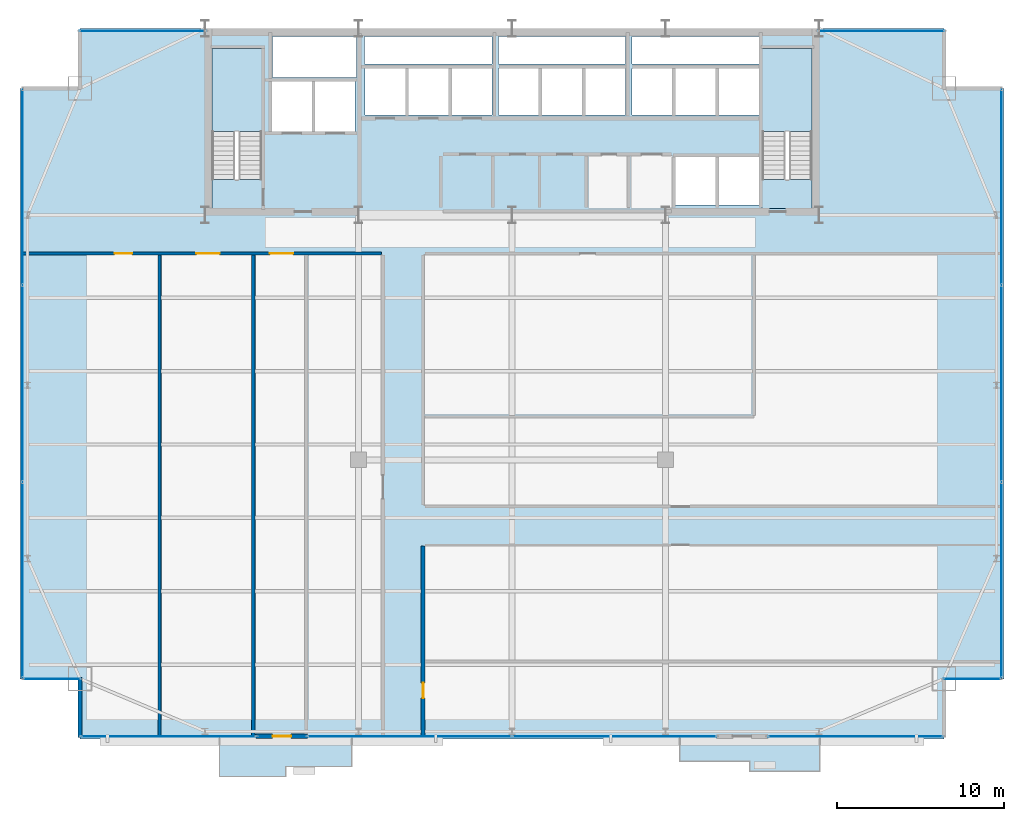
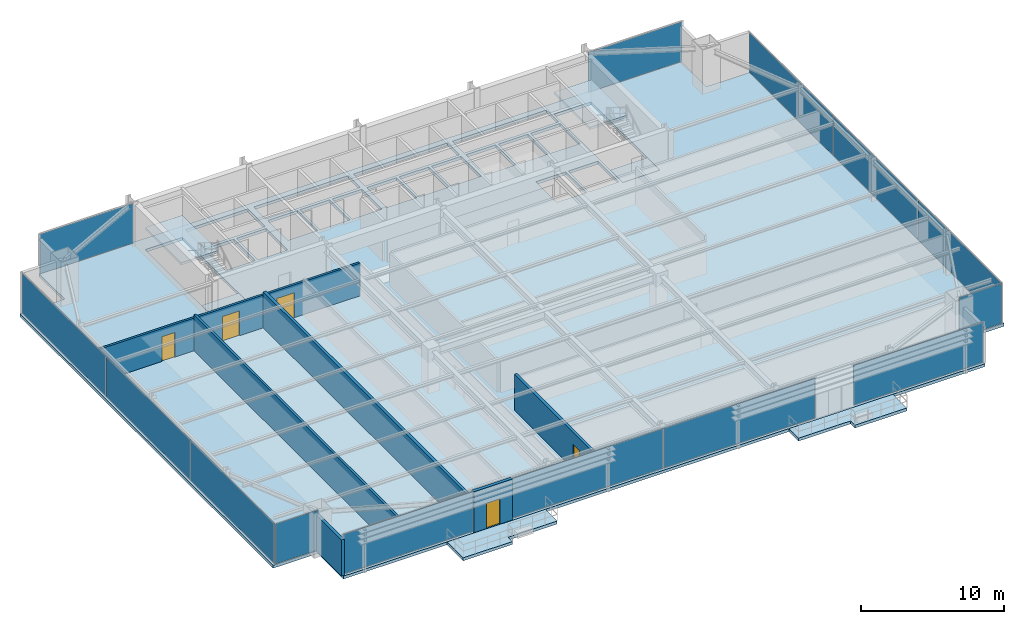
# One storey, part 27 of 31: 14 plates, 7 slabs, 6 walls, 5 doors, 5 openings, 11 elements without a shape of their own.
"""IFC4 building model written with IfcOpenShell, lengths in metres."""

import ifcopenshell
import ifcopenshell.guid

model = None  # the IFC model being written
_history = None  # IfcOwnerHistory: only IFC2X3 demands one
_inside = {}  # id of a spatial element -> (the spatial element, [elements in it])
_under = {}  # id of a project, library or spatial element -> (it, [spatial elements below it])
_declared = {}  # id of a project -> (the project, [libraries it declares])
_typed = {}  # id of a type object -> (the type object, [elements of that type])
_made_of = {}  # id of a material, layer set ... -> (it, [elements and type objects made of it])


def new_model(schema):
    """Start an empty IFC model of exactly this schema.

    Asked for "IFC4X3", IfcOpenShell would pick the latest addendum, in which some entities
    have other attributes; the version numbers below select the first issue.
    IFC2X3 requires an IfcOwnerHistory on every rooted entity: one is made here for all.
    """
    global model, _history
    if schema == "IFC4X3":
        model = ifcopenshell.file(schema_version=(4, 3, 0, 0))
    else:
        model = ifcopenshell.file(schema=schema)
    _inside.clear()
    _under.clear()
    _declared.clear()
    _typed.clear()
    _made_of.clear()
    _history = None
    if model.schema == "IFC2X3":
        org = make("IfcOrganization", Name="unknown")
        user = make(
            "IfcPersonAndOrganization",
            ThePerson=make("IfcPerson", FamilyName="unknown"),
            TheOrganization=org,
        )
        app = make(
            "IfcApplication",
            ApplicationDeveloper=org,
            Version="unknown",
            ApplicationFullName="unknown",
            ApplicationIdentifier="unknown",
        )
        _history = make(
            "IfcOwnerHistory",
            OwningUser=user,
            OwningApplication=app,
            ChangeAction="ADDED",
            CreationDate=0,
        )
    return model


def make(cls, **values):
    """One entity of the class cls with the attributes given. An attribute that is None is left unset."""
    return model.create_entity(
        cls, **{name: value for name, value in values.items() if value is not None}
    )


def rooted(cls, **values):
    """An entity with a GlobalId (a new one), such as an element, a storey or a relation."""
    return make(cls, GlobalId=ifcopenshell.guid.new(), OwnerHistory=_history, **values)


def si_unit(unit_type, name, prefix=None):
    """IfcSIUnit, for example si_unit("LENGTHUNIT", "METRE", prefix="MILLI")."""
    return make("IfcSIUnit", UnitType=unit_type, Prefix=prefix, Name=name)


def assignment(units):
    """IfcUnitAssignment: the units of a project."""
    return None if units is None else make("IfcUnitAssignment", Units=units)


def point(xyz):
    """IfcCartesianPoint."""
    return None if xyz is None else make("IfcCartesianPoint", Coordinates=xyz)


def direction(xyz):
    """IfcDirection."""
    return None if xyz is None else make("IfcDirection", DirectionRatios=xyz)


def frame(location, z_axis=None, x_axis=None):
    """IfcAxis2Placement3D, a coordinate frame: its origin and axes. An axis left out is left unset."""
    return make(
        "IfcAxis2Placement3D",
        Location=point(location),
        Axis=direction(z_axis),
        RefDirection=direction(x_axis),
    )


def frame_2d(location, x_axis=None):
    """IfcAxis2Placement2D, a coordinate frame in the plane: its origin and x axis."""
    return make(
        "IfcAxis2Placement2D", Location=point(location), RefDirection=direction(x_axis)
    )


def origin():
    """The frame at (0, 0, 0) with its axes left unset."""
    return frame((0.0, 0.0, 0.0))


def origin_2d():
    """The frame at (0, 0) in the plane with its x axis left unset."""
    return frame_2d((0.0, 0.0))


def place(relative_to, where):
    """IfcLocalPlacement: puts the frame where relative to a parent placement (None: the world)."""
    return make(
        "IfcLocalPlacement", PlacementRelTo=relative_to, RelativePlacement=where
    )


def context(
    kind, dimensions, precision=None, world=None, true_north=None, identifier=None
):
    """IfcGeometricRepresentationContext, for example the 3D "Model" context."""
    return make(
        "IfcGeometricRepresentationContext",
        ContextIdentifier=identifier,
        ContextType=kind,
        CoordinateSpaceDimension=dimensions,
        Precision=precision,
        WorldCoordinateSystem=world,
        TrueNorth=true_north,
    )


def subcontext(parent, identifier, kind, view, scale=None):
    """IfcGeometricRepresentationSubContext, for example "Body" below "Model"."""
    return make(
        "IfcGeometricRepresentationSubContext",
        ContextIdentifier=identifier,
        ContextType=kind,
        ParentContext=parent,
        TargetScale=scale,
        TargetView=view,
    )


def project(units=None, contexts=None):
    """IfcProject with its units and contexts."""
    return rooted(
        "IfcProject",
        Name="project",
        RepresentationContexts=contexts,
        UnitsInContext=assignment(units),
    )


def spatial(cls, under=None, at=None, **own):
    """A site, building, storey or space (cls), placed at a placement, below another one or the project."""
    s = rooted(cls, ObjectPlacement=at, **own)
    if under is not None:
        _under.setdefault(under.id(), (under, []))[1].append(s)
    return s


def polyline(points):
    """IfcPolyline through the points."""
    return make("IfcPolyline", Points=[point(p) for p in points])


def profile(cls, at=None, kind="AREA", **sizes):
    """A parametric profile (cls). Its sizes go by their IFC names, for example OverallWidth=200.0."""
    return make(cls, ProfileType=kind, Position=at, **sizes)


def rectangle(**sizes):
    """IfcRectangleProfileDef."""
    return profile("IfcRectangleProfileDef", **sizes)


def outline(outer, holes=None, kind="AREA"):
    """IfcArbitraryClosedProfileDef: a profile drawn as a closed curve; with holes, ...WithVoids."""
    if holes is None:
        return make("IfcArbitraryClosedProfileDef", ProfileType=kind, OuterCurve=outer)
    return make(
        "IfcArbitraryProfileDefWithVoids",
        ProfileType=kind,
        OuterCurve=outer,
        InnerCurves=holes,
    )


def extrude(swept, where, along, depth):
    """IfcExtrudedAreaSolid: the profile swept, set in the frame where, extruded along a direction by depth."""
    return make(
        "IfcExtrudedAreaSolid",
        SweptArea=swept,
        Position=where,
        ExtrudedDirection=direction(along),
        Depth=depth,
    )


def shape(context_of_items, identifier, shape_type, items):
    """IfcShapeRepresentation: the items that make up one representation, for example the "Body"."""
    return make(
        "IfcShapeRepresentation",
        ContextOfItems=context_of_items,
        RepresentationIdentifier=identifier,
        RepresentationType=shape_type,
        Items=items,
    )


def source(mapping_origin, context_of_items, identifier, shape_type, items):
    """IfcRepresentationMap: a shape defined once, which mapped items show again and again."""
    return make(
        "IfcRepresentationMap",
        MappingOrigin=mapping_origin,
        MappedRepresentation=shape(context_of_items, identifier, shape_type, items),
    )


def transform(
    local_origin,
    x_axis=None,
    y_axis=None,
    z_axis=None,
    scale=None,
    scale2=None,
    scale3=None,
    uniform=True,
):
    """IfcCartesianTransformationOperator3D, or its non-uniform kind. x_axis, y_axis, z_axis: its Axis1, 2, 3."""
    if uniform:
        return make(
            "IfcCartesianTransformationOperator3D",
            Axis1=direction(x_axis),
            Axis2=direction(y_axis),
            LocalOrigin=point(local_origin),
            Scale=scale,
            Axis3=direction(z_axis),
        )
    return make(
        "IfcCartesianTransformationOperator3DnonUniform",
        Axis1=direction(x_axis),
        Axis2=direction(y_axis),
        LocalOrigin=point(local_origin),
        Scale=scale,
        Axis3=direction(z_axis),
        Scale2=scale2,
        Scale3=scale3,
    )


def mapped(mapping_source, mapping_target):
    """IfcMappedItem: shows the shape of a source again, moved by a transform."""
    return make(
        "IfcMappedItem", MappingSource=mapping_source, MappingTarget=mapping_target
    )


def material(Name=None, Category=None):
    """IfcMaterial."""
    return make("IfcMaterial", Name=Name, Category=Category)


def layer(
    of_material, thickness, ventilated=None, Name=None, Category=None, Priority=None
):
    """IfcMaterialLayer: one layer of a wall or slab, of a material (None: an air gap)."""
    return make(
        "IfcMaterialLayer",
        Material=of_material,
        LayerThickness=thickness,
        IsVentilated=ventilated,
        Name=Name,
        Category=Category,
        Priority=Priority,
    )


def layer_set(layers, Name=None):
    """IfcMaterialLayerSet."""
    return make("IfcMaterialLayerSet", MaterialLayers=layers, LayerSetName=Name)


def made_of(thing, what):
    """Note that an element or type object is made of a material, layer set ...; save() writes the relation."""
    if what is not None:
        _made_of.setdefault(what.id(), (what, []))[1].append(thing)
    return thing


def type_object(cls, material=None, **own):
    """A type object (cls), such as IfcWallType, which elements share."""
    return made_of(rooted(cls, **own), material)


def type_shapes(of_type, sources):
    """Give a type object the sources (RepresentationMaps) that its elements show as mapped items."""
    of_type.RepresentationMaps = sources


def element(
    cls,
    number,
    at=None,
    inside=None,
    cuts=None,
    type_object=None,
    material=None,
    context=None,
    identifier="Body",
    shape_type=None,
    held_by="IfcProductDefinitionShape",
    body=None,
    shapes=None,
    **own,
):
    """One element of the class cls, such as IfcWall. Its Tag is "e" and its number.

    at: its placement. inside: the storey or other place that contains it. cuts: it is an
    opening in that element (IfcRelVoidsElement). A single representation is given by context,
    identifier, shape_type and body (its items); several are given by shapes. held_by: the class
    of the entity that holds the representations. save() writes the other relations.
    """
    e = rooted(cls, Tag="e%d" % number, ObjectPlacement=at, **own)
    if body is not None:
        shapes = [shape(context, identifier, shape_type, body)]
    if shapes is not None:
        e.Representation = make(held_by, Representations=shapes)
    if inside is not None:
        _inside.setdefault(inside.id(), (inside, []))[1].append(e)
    if cuts is not None:
        rooted(
            "IfcRelVoidsElement", RelatingBuildingElement=cuts, RelatedOpeningElement=e
        )
    if type_object is not None:
        _typed.setdefault(type_object.id(), (type_object, []))[1].append(e)
    return made_of(e, material)


def fill(opening, filler):
    """IfcRelFillsElement: the door or window that sits in an opening."""
    return rooted(
        "IfcRelFillsElement",
        RelatingOpeningElement=opening,
        RelatedBuildingElement=filler,
    )


def aggregate(whole, parts):
    """IfcRelAggregates: a whole, such as a stair, and the parts it consists of."""
    return rooted("IfcRelAggregates", RelatingObject=whole, RelatedObjects=parts)


def save(model, path):
    """Write the relations noted so far, then the file.

    IfcRelAggregates (storeys below a building ...), IfcRelContainedInSpatialStructure (elements
    in a storey), IfcRelDefinesByType, IfcRelAssociatesMaterial and IfcRelDeclares: one each for
    every whole, place, type object, material and project.
    """
    for whole, parts in _under.values():
        aggregate(whole, parts)
    for where, things in _inside.values():
        rooted(
            "IfcRelContainedInSpatialStructure",
            RelatedElements=things,
            RelatingStructure=where,
        )
    for kind, things in _typed.values():
        rooted("IfcRelDefinesByType", RelatedObjects=things, RelatingType=kind)
    for what, things in _made_of.values():
        rooted("IfcRelAssociatesMaterial", RelatedObjects=things, RelatingMaterial=what)
    for by, libraries in _declared.values():
        rooted("IfcRelDeclares", RelatingContext=by, RelatedDefinitions=libraries)
    model.write(path)


model = new_model("IFC4")

# Units and contexts
model_context = context("Model", 3, precision=1e-05, world=origin(), true_north=direction((0.0, 1.0)))
body_context = subcontext(model_context, "Body", "Model", "MODEL_VIEW")
ifc_project = project(units=[si_unit("LENGTHUNIT", "METRE"), si_unit("AREAUNIT", "SQUARE_METRE"), si_unit("VOLUMEUNIT", "CUBIC_METRE"), si_unit("PLANEANGLEUNIT", "RADIAN"), si_unit("MASSUNIT", "GRAM", prefix="KILO")], contexts=[model_context])

# Site, building, storey
site_placement = place(None, origin())
site = spatial("IfcSite", under=ifc_project, at=site_placement, CompositionType="ELEMENT")
building_placement = place(site_placement, origin())
building = spatial("IfcBuilding", under=site, at=building_placement, Name="Varnel Quay Broadcast Tower", CompositionType="ELEMENT")
storey_placement = place(building_placement, frame((0.0, 0.0, 94.60009765625)))
storey = spatial("IfcBuildingStorey", under=building, at=storey_placement, Name="L22", CompositionType="ELEMENT", Elevation=94.60009765625)

# Slabs
ifc_material_1 = material(Name="Concrete CSA A23.3 C40/50", Category="concrete")
ifc_layer_1 = layer(ifc_material_1, 0.25, Name="Concrete CSA A23.3 C40/50")
ifc_layer_set_1 = layer_set([ifc_layer_1], Name="Concrete CSA A23.3 C40/50")
slab_type_1 = type_object("IfcSlabType", Name="Slab_ExtTerrace250", PredefinedType="FLOOR", material=ifc_layer_set_1)
slab_1_placement = place(storey_placement, frame((0.0, 0.0, -0.25)))
element("IfcSlab", 1, at=slab_1_placement, inside=storey, type_object=slab_type_1, Name="L22 Planted Lobe Terrace Slab 1", PredefinedType="FLOOR", context=body_context, shape_type="SweptSolid", body=[
    extrude(outline(polyline([(16.4599609375, 1.946044921875), (20.429931640625, 1.946044921875), (20.429931640625, 2.5458984375), (24.39990234375, 2.5458984375), (24.39990234375, 4.199951171875), (16.4599609375, 4.199951171875), (16.4599609375, 1.946044921875)])), origin(), (0.0, 0.0, 1.0), 0.25),
])
slab_2_placement = place(storey_placement, frame((0.0, 0.0, -0.25)))
element("IfcSlab", 2, at=slab_2_placement, inside=storey, type_object=slab_type_1, Name="L22 Planted Lobe Terrace Slab 2", PredefinedType="FLOOR", context=body_context, shape_type="SweptSolid", body=[
    extrude(outline(polyline([(44.06005859375, 2.85400390625), (48.260009765625, 2.85400390625), (48.260009765625, 2.25390625), (52.4599609375, 2.25390625), (52.4599609375, 4.199951171875), (44.06005859375, 4.199951171875), (44.06005859375, 2.85400390625)])), origin(), (0.0, 0.0, 1.0), 0.25),
])
ifc_material_2 = material(Name="Concrete CSA A23.3 C50/60", Category="concrete")
ifc_layer_2 = layer(ifc_material_2, 0.25, Name="Concrete CSA A23.3 C50/60")
ifc_layer_set_2 = layer_set([ifc_layer_2], Name="Concrete CSA A23.3 C50/60")
slab_type_2 = type_object("IfcSlabType", Name="Slab_Floor250", PredefinedType="FLOOR", material=ifc_layer_set_2)
slab_3_placement = place(storey_placement, frame((0.0, 0.0, -0.25)))
element("IfcSlab", 3, at=slab_3_placement, inside=storey, type_object=slab_type_2, Name="L22 Structural Slab", PredefinedType="FLOOR", context=body_context, shape_type="SweptSolid", body=[
    extrude(outline(polyline([(8.10009765625, 4.199951171875), (59.89990234375, 4.199951171875), (59.89990234375, 7.800048828125), (63.5, 7.800048828125), (63.5, 43.199951171875), (59.89990234375, 43.199951171875), (59.89990234375, 46.800048828125), (8.10009765625, 46.800048828125), (8.10009765625, 43.199951171875), (4.5, 43.199951171875), (4.5, 7.800048828125), (8.10009765625, 7.800048828125), (8.10009765625, 4.199951171875)]), holes=[polyline([(16.0, 36.0), (16.0, 45.60009765625), (19.0, 45.60009765625), (19.0, 36.0), (16.0, 36.0)]), polyline([(19.60009765625, 43.60009765625), (22.0, 43.60009765625), (22.0, 40.60009765625), (19.60009765625, 40.60009765625), (19.60009765625, 43.60009765625)]), polyline([(22.199951171875, 43.60009765625), (24.60009765625, 43.60009765625), (24.60009765625, 40.60009765625), (22.199951171875, 40.60009765625), (22.199951171875, 43.60009765625)]), polyline([(25.199951171875, 44.39990234375), (27.60009765625, 44.39990234375), (27.60009765625, 41.60009765625), (25.199951171875, 41.60009765625), (25.199951171875, 44.39990234375)]), polyline([(27.800048828125, 44.39990234375), (30.199951171875, 44.39990234375), (30.199951171875, 41.60009765625), (27.800048828125, 41.60009765625), (27.800048828125, 44.39990234375)]), polyline([(30.39990234375, 44.39990234375), (32.800048828125, 44.39990234375), (32.800048828125, 41.60009765625), (30.39990234375, 41.60009765625), (30.39990234375, 44.39990234375)]), polyline([(33.199951171875, 44.39990234375), (35.60009765625, 44.39990234375), (35.60009765625, 41.60009765625), (33.199951171875, 41.60009765625), (33.199951171875, 44.39990234375)]), polyline([(38.199951171875, 44.39990234375), (38.199951171875, 41.60009765625), (35.800048828125, 41.60009765625), (35.800048828125, 44.39990234375), (38.199951171875, 44.39990234375)]), polyline([(24.679931640625, 46.300048828125), (24.679931640625, 43.85009765625), (19.64990234375, 43.85009765625), (19.64990234375, 46.300048828125), (24.679931640625, 46.300048828125)]), polyline([(25.14990234375, 46.300048828125), (32.800048828125, 46.300048828125), (32.800048828125, 44.64990234375), (25.14990234375, 44.64990234375), (25.14990234375, 46.300048828125)]), polyline([(43.800048828125, 39.10009765625), (46.199951171875, 39.10009765625), (46.199951171875, 36.199951171875), (43.800048828125, 36.199951171875), (43.800048828125, 39.10009765625)]), polyline([(46.39990234375, 39.10009765625), (48.800048828125, 39.10009765625), (48.800048828125, 36.199951171875), (46.39990234375, 36.199951171875), (46.39990234375, 39.10009765625)]), polyline([(49.0, 45.60009765625), (52.0, 45.60009765625), (52.0, 36.0), (49.0, 36.0), (49.0, 45.60009765625)]), polyline([(40.800048828125, 44.39990234375), (40.800048828125, 41.60009765625), (38.39990234375, 41.60009765625), (38.39990234375, 44.39990234375), (40.800048828125, 44.39990234375)]), polyline([(41.199951171875, 44.39990234375), (43.60009765625, 44.39990234375), (43.60009765625, 41.60009765625), (41.199951171875, 41.60009765625), (41.199951171875, 44.39990234375)]), polyline([(43.800048828125, 44.39990234375), (46.199951171875, 44.39990234375), (46.199951171875, 41.60009765625), (43.800048828125, 41.60009765625), (43.800048828125, 44.39990234375)]), polyline([(46.39990234375, 44.39990234375), (48.800048828125, 44.39990234375), (48.800048828125, 41.60009765625), (46.39990234375, 41.60009765625), (46.39990234375, 44.39990234375)]), polyline([(40.800048828125, 46.300048828125), (40.800048828125, 44.64990234375), (33.199951171875, 44.64990234375), (33.199951171875, 46.300048828125), (40.800048828125, 46.300048828125)]), polyline([(48.800048828125, 46.300048828125), (48.800048828125, 44.64990234375), (41.199951171875, 44.64990234375), (41.199951171875, 46.300048828125), (48.800048828125, 46.300048828125)])]), origin(), (0.0, 0.0, 1.0), 0.25),
])
ifc_layer_3 = layer(ifc_material_2, 0.25, Name="Concrete CSA A23.3 C50/60")
ifc_layer_set_3 = layer_set([ifc_layer_3], Name="Concrete CSA A23.3 C50/60")
slab_type_3 = type_object("IfcSlabType", Name="Slab_StairFloorLanding250", PredefinedType="FLOOR", material=ifc_layer_set_3)
slab_4_placement = place(storey_placement, frame((0.0, 0.0, -0.25)))
element("IfcSlab", 4, at=slab_4_placement, inside=storey, type_object=slab_type_3, Name="L22 ST-01 Structural Floor Landing Slab", PredefinedType="FLOOR", context=body_context, shape_type="SweptSolid", body=[
    extrude(outline(polyline([(19.0, 36.0), (19.0, 37.75), (16.0, 37.75), (16.0, 36.0), (19.0, 36.0)])), origin(), (0.0, 0.0, 1.0), 0.25),
])
slab_5_placement = place(storey_placement, frame((0.0, 0.0, -0.25)))
element("IfcSlab", 5, at=slab_5_placement, inside=storey, type_object=slab_type_3, Name="L22 ST-02 Structural Floor Landing Slab", PredefinedType="FLOOR", context=body_context, shape_type="SweptSolid", body=[
    extrude(outline(polyline([(52.0, 36.0), (52.0, 37.75), (49.0, 37.75), (49.0, 36.0), (52.0, 36.0)])), origin(), (0.0, 0.0, 1.0), 0.25),
])

# Stair, slab
ifc_material_3 = material(Name="Precast Structural Concrete C40/50", Category="concrete")
stair_type_1 = type_object("IfcStairType", Name="Stair_ST-01", PredefinedType="HALF_TURN_STAIR", material=ifc_material_3)
stair_1_placement = place(storey_placement, origin())
stair_1 = element("IfcStair", 6, at=stair_1_placement, inside=storey, type_object=stair_type_1, Name="L22 West Core Exit Stair 1", PredefinedType="HALF_TURN_STAIR")
ifc_layer_4 = layer(ifc_material_3, 0.199951171875, Name="Precast Structural Concrete C40/50")
ifc_layer_set_4 = layer_set([ifc_layer_4], Name="Precast Structural Concrete C40/50")
slab_type_4 = type_object("IfcSlabType", Name="Slab_StairLanding200", PredefinedType="LANDING", material=ifc_layer_set_4)
slab_6_placement = place(storey_placement, frame((0.0, 0.0, 1.699951171875)))
slab_6 = element("IfcSlab", 7, at=slab_6_placement, type_object=slab_type_4, Name="ST-01 landing 1", PredefinedType="LANDING", context=body_context, shape_type="SweptSolid", body=[
    extrude(outline(polyline([(19.0, 40.60009765625), (19.0, 45.60009765625), (16.0, 45.60009765625), (16.0, 40.60009765625), (19.0, 40.60009765625)])), origin(), (0.0, 0.0, 1.0), 0.199951171875),
])
aggregate(stair_1, [slab_6])

stair_type_2 = type_object("IfcStairType", Name="Stair_ST-02", PredefinedType="HALF_TURN_STAIR", material=ifc_material_3)
stair_2_placement = place(storey_placement, origin())
stair_2 = element("IfcStair", 8, at=stair_2_placement, inside=storey, type_object=stair_type_2, Name="L22 East Core Exit Stair 2", PredefinedType="HALF_TURN_STAIR")
slab_7_placement = place(storey_placement, frame((0.0, 0.0, 1.699951171875)))
slab_7 = element("IfcSlab", 9, at=slab_7_placement, type_object=slab_type_4, Name="ST-02 landing 1", PredefinedType="LANDING", context=body_context, shape_type="SweptSolid", body=[
    extrude(outline(polyline([(52.0, 40.60009765625), (52.0, 45.60009765625), (49.0, 45.60009765625), (49.0, 40.60009765625), (52.0, 40.60009765625)])), origin(), (0.0, 0.0, 1.0), 0.199951171875),
])
aggregate(stair_2, [slab_7])

# Curtain wall, plate
ifc_material_4 = material(Name="Anodised Bronze Aluminium 6063-T6", Category="aluminium")
ifc_layer_5 = layer(ifc_material_4, 0.18994140625, Name="Anodised Bronze Aluminium 6063-T6")
ifc_layer_set_5 = layer_set([ifc_layer_5], Name="Anodised Bronze Aluminium 6063-T6")
curtain_wall_type_1 = type_object("IfcCurtainWallType", Name="CW_LowerTower", PredefinedType="NOTDEFINED", material=ifc_layer_set_5)
curtain_wall_1_placement = place(storey_placement, origin())
curtain_wall_1 = element("IfcCurtainWall", 10, at=curtain_wall_1_placement, inside=storey, type_object=curtain_wall_type_1, Name="L22 South Unitised Curtain Wall 1", PredefinedType="NOTDEFINED")
ifc_material_5 = material(Name="Triple-Glazed Bronze Low-E Architectural Glass", Category="glass")
ifc_layer_6 = layer(ifc_material_5, 0.031982421875, Name="Triple-Glazed Bronze Low-E Architectural Glass")
ifc_layer_set_6 = layer_set([ifc_layer_6], Name="Triple-Glazed Bronze Low-E Architectural Glass")
plate_type_1 = type_object("IfcPlateType", Name="Panel_CWS-02", PredefinedType="CURTAIN_PANEL", material=ifc_layer_set_6)
shared_shape_1 = source(origin(), body_context, "Body", "SweptSolid", [
    extrude(rectangle(XDim=10.47998046875, YDim=0.031982421875, at=origin_2d()), origin(), (0.0, 0.0, 1.0), 3.39990234375),
])
plate_1_placement = place(storey_placement, frame((13.409912109375, 4.35009765625, 0.06005859375), z_axis=(0.0, 0.0, 1.0), x_axis=(1.0, 0.0, 0.0)))
plate_1 = element("IfcPlate", 11, at=plate_1_placement, type_object=plate_type_1, Name="CWS-02 panel 1.1", PredefinedType="CURTAIN_PANEL", context=body_context, shape_type="MappedRepresentation", body=[
    mapped(shared_shape_1, transform((0.0, 0.0, 0.0), x_axis=(1.0, 0.0, 0.0), y_axis=(0.0, 1.0, 0.0), z_axis=(0.0, 0.0, 1.0), scale=1.0)),
])
aggregate(curtain_wall_1, [plate_1])

curtain_wall_2_placement = place(storey_placement, origin())
curtain_wall_2 = element("IfcCurtainWall", 12, at=curtain_wall_2_placement, inside=storey, type_object=curtain_wall_type_1, Name="L22 South Unitised Curtain Wall 3", PredefinedType="NOTDEFINED")
plate_2_placement = place(storey_placement, frame((54.590087890625, 4.35009765625, 0.06005859375), z_axis=(0.0, 0.0, 1.0), x_axis=(1.0, 0.0, 0.0)))
plate_2 = element("IfcPlate", 13, at=plate_2_placement, type_object=plate_type_1, Name="CWS-02 panel 1.1", PredefinedType="CURTAIN_PANEL", context=body_context, shape_type="MappedRepresentation", body=[
    mapped(shared_shape_1, transform((0.0, 0.0, 0.0), x_axis=(1.0, 0.0, 0.0), y_axis=(0.0, 1.0, 0.0), z_axis=(0.0, 0.0, 1.0), scale=1.0)),
])
aggregate(curtain_wall_2, [plate_2])

# Curtain wall, plates
curtain_wall_3_placement = place(storey_placement, origin())
curtain_wall_3 = element("IfcCurtainWall", 14, at=curtain_wall_3_placement, inside=storey, type_object=curtain_wall_type_1, Name="L22 South Unitised Curtain Wall 2", PredefinedType="NOTDEFINED")
shared_shape_2 = source(origin(), body_context, "Body", "SweptSolid", [
    extrude(rectangle(XDim=12.215087890625, YDim=0.031982421875, at=origin_2d()), origin(), (0.0, 0.0, 1.0), 3.39990234375),
])
plate_3_placement = place(storey_placement, frame((27.857421875, 4.35009765625, 0.06005859375), z_axis=(0.0, 0.0, 1.0), x_axis=(1.0, 0.0, 0.0)))
plate_3 = element("IfcPlate", 15, at=plate_3_placement, type_object=plate_type_1, Name="CWS-02 panel 1.1", PredefinedType="CURTAIN_PANEL", context=body_context, shape_type="MappedRepresentation", body=[
    mapped(shared_shape_2, transform((0.0, 0.0, 0.0), x_axis=(1.0, 0.0, 0.0), y_axis=(0.0, 1.0, 0.0), z_axis=(0.0, 0.0, 1.0), scale=1.0)),
])
plate_4_placement = place(storey_placement, frame((40.142578125, 4.35009765625, 0.06005859375), z_axis=(0.0, 0.0, 1.0), x_axis=(1.0, 0.0, 0.0)))
plate_4 = element("IfcPlate", 16, at=plate_4_placement, type_object=plate_type_1, Name="CWS-02 panel 2.1", PredefinedType="CURTAIN_PANEL", context=body_context, shape_type="MappedRepresentation", body=[
    mapped(shared_shape_2, transform((0.0, 0.0, 0.0), x_axis=(1.0, 0.0, 0.0), y_axis=(0.0, 1.0, 0.0), z_axis=(0.0, 0.0, 1.0), scale=1.0)),
])
aggregate(curtain_wall_3, [plate_3, plate_4])

curtain_wall_4_placement = place(storey_placement, origin())
curtain_wall_4 = element("IfcCurtainWall", 17, at=curtain_wall_4_placement, inside=storey, type_object=curtain_wall_type_1, Name="L22 West Unitised Curtain Wall", PredefinedType="NOTDEFINED")
shared_shape_3 = source(origin(), body_context, "Body", "SweptSolid", [
    extrude(rectangle(XDim=11.695068359375, YDim=0.031982421875, at=origin_2d()), origin(), (0.0, 0.0, 1.0), 3.39990234375),
])
plate_5_placement = place(storey_placement, frame((4.64990234375, 13.717529296875, 0.06005859375), z_axis=(0.0, 0.0, 1.0), x_axis=(0.0, 1.0, 0.0)))
plate_5 = element("IfcPlate", 18, at=plate_5_placement, type_object=plate_type_1, Name="CWS-02 panel 1.1", PredefinedType="CURTAIN_PANEL", context=body_context, shape_type="MappedRepresentation", body=[
    mapped(shared_shape_3, transform((0.0, 0.0, 0.0), x_axis=(1.0, 0.0, 0.0), y_axis=(0.0, 1.0, 0.0), z_axis=(0.0, 0.0, 1.0), scale=1.0)),
])
plate_6_placement = place(storey_placement, frame((4.64990234375, 37.282470703125, 0.06005859375), z_axis=(0.0, 0.0, 1.0), x_axis=(0.0, 1.0, 0.0)))
plate_6 = element("IfcPlate", 19, at=plate_6_placement, type_object=plate_type_1, Name="CWS-02 panel 3.1", PredefinedType="CURTAIN_PANEL", context=body_context, shape_type="MappedRepresentation", body=[
    mapped(shared_shape_3, transform((0.0, 0.0, 0.0), x_axis=(1.0, 0.0, 0.0), y_axis=(0.0, 1.0, 0.0), z_axis=(0.0, 0.0, 1.0), scale=1.0)),
])

curtain_wall_5_placement = place(storey_placement, origin())
curtain_wall_5 = element("IfcCurtainWall", 20, at=curtain_wall_5_placement, inside=storey, type_object=curtain_wall_type_1, Name="L22 East Unitised Curtain Wall", PredefinedType="NOTDEFINED")
plate_7_placement = place(storey_placement, frame((63.35009765625, 13.717529296875, 0.06005859375), z_axis=(0.0, 0.0, 1.0), x_axis=(0.0, 1.0, 0.0)))
plate_7 = element("IfcPlate", 21, at=plate_7_placement, type_object=plate_type_1, Name="CWS-02 panel 1.1", PredefinedType="CURTAIN_PANEL", context=body_context, shape_type="MappedRepresentation", body=[
    mapped(shared_shape_3, transform((0.0, 0.0, 0.0), x_axis=(1.0, 0.0, 0.0), y_axis=(0.0, 1.0, 0.0), z_axis=(0.0, 0.0, 1.0), scale=1.0)),
])
plate_8_placement = place(storey_placement, frame((63.35009765625, 37.282470703125, 0.06005859375), z_axis=(0.0, 0.0, 1.0), x_axis=(0.0, 1.0, 0.0)))
plate_8 = element("IfcPlate", 22, at=plate_8_placement, type_object=plate_type_1, Name="CWS-02 panel 3.1", PredefinedType="CURTAIN_PANEL", context=body_context, shape_type="MappedRepresentation", body=[
    mapped(shared_shape_3, transform((0.0, 0.0, 0.0), x_axis=(1.0, 0.0, 0.0), y_axis=(0.0, 1.0, 0.0), z_axis=(0.0, 0.0, 1.0), scale=1.0)),
])

# Plate
shared_shape_4 = source(origin(), body_context, "Body", "SweptSolid", [
    extrude(rectangle(XDim=11.72998046875, YDim=0.031982421875, at=origin_2d()), origin(), (0.0, 0.0, 1.0), 3.39990234375),
])
plate_9_placement = place(storey_placement, frame((4.64990234375, 25.5, 0.06005859375), z_axis=(0.0, 0.0, 1.0), x_axis=(0.0, 1.0, 0.0)))
plate_9 = element("IfcPlate", 23, at=plate_9_placement, type_object=plate_type_1, Name="CWS-02 panel 2.1", PredefinedType="CURTAIN_PANEL", context=body_context, shape_type="MappedRepresentation", body=[
    mapped(shared_shape_4, transform((0.0, 0.0, 0.0), x_axis=(1.0, 0.0, 0.0), y_axis=(0.0, 1.0, 0.0), z_axis=(0.0, 0.0, 1.0), scale=1.0)),
])

aggregate(curtain_wall_4, [plate_5, plate_9, plate_6])

plate_10_placement = place(storey_placement, frame((63.35009765625, 25.5, 0.06005859375), z_axis=(0.0, 0.0, 1.0), x_axis=(0.0, 1.0, 0.0)))
plate_10 = element("IfcPlate", 24, at=plate_10_placement, type_object=plate_type_1, Name="CWS-02 panel 2.1", PredefinedType="CURTAIN_PANEL", context=body_context, shape_type="MappedRepresentation", body=[
    mapped(shared_shape_4, transform((0.0, 0.0, 0.0), x_axis=(1.0, 0.0, 0.0), y_axis=(0.0, 1.0, 0.0), z_axis=(0.0, 0.0, 1.0), scale=1.0)),
])

aggregate(curtain_wall_5, [plate_7, plate_10, plate_8])

# Curtain wall, plate
ifc_layer_7 = layer(ifc_material_4, 0.18994140625, Name="Anodised Bronze Aluminium 6063-T6")
ifc_layer_set_7 = layer_set([ifc_layer_7], Name="Anodised Bronze Aluminium 6063-T6")
curtain_wall_type_2 = type_object("IfcCurtainWallType", Name="CW_NotchCorner", PredefinedType="NOTDEFINED", material=ifc_layer_set_7)
curtain_wall_6_placement = place(storey_placement, origin())
curtain_wall_6 = element("IfcCurtainWall", 25, at=curtain_wall_6_placement, inside=storey, type_object=curtain_wall_type_2, Name="L22 SW Notch Curtain Wall", PredefinedType="NOTDEFINED")
ifc_layer_8 = layer(ifc_material_5, 0.028076171875, Name="Triple-Glazed Bronze Low-E Architectural Glass")
ifc_layer_set_8 = layer_set([ifc_layer_8], Name="Triple-Glazed Bronze Low-E Architectural Glass")
plate_type_2 = type_object("IfcPlateType", Name="Panel_CWS-04", PredefinedType="CURTAIN_PANEL", material=ifc_layer_set_8)
shared_shape_5 = source(origin(), body_context, "Body", "SweptSolid", [
    extrude(rectangle(XDim=3.409912109375, YDim=0.028076171875, at=origin_2d()), origin(), (0.0, 0.0, 1.0), 3.409912109375),
])
type_shapes(plate_type_2, [shared_shape_5])
plate_11_placement = place(storey_placement, frame((6.4150390625, 7.800048828125, 0.05517578125), z_axis=(0.0, 0.0, 1.0), x_axis=(1.0, 0.0, 0.0)))
plate_11 = element("IfcPlate", 26, at=plate_11_placement, type_object=plate_type_2, Name="CWS-04 panel 1.1", PredefinedType="CURTAIN_PANEL", context=body_context, shape_type="MappedRepresentation", body=[
    mapped(shared_shape_5, transform((0.0, 0.0, 0.0), x_axis=(1.0, 0.0, 0.0), y_axis=(0.0, 1.0, 0.0), z_axis=(0.0, 0.0, 1.0), scale=1.0)),
])
aggregate(curtain_wall_6, [plate_11])

curtain_wall_7_placement = place(storey_placement, origin())
curtain_wall_7 = element("IfcCurtainWall", 27, at=curtain_wall_7_placement, inside=storey, type_object=curtain_wall_type_2, Name="L22 SE Notch Curtain Wall", PredefinedType="NOTDEFINED")
plate_12_placement = place(storey_placement, frame((61.5849609375, 7.800048828125, 0.05517578125), z_axis=(0.0, 0.0, 1.0), x_axis=(1.0, 0.0, 0.0)))
plate_12 = element("IfcPlate", 28, at=plate_12_placement, type_object=plate_type_2, Name="CWS-04 panel 1.1", PredefinedType="CURTAIN_PANEL", context=body_context, shape_type="MappedRepresentation", body=[
    mapped(shared_shape_5, transform((0.0, 0.0, 0.0), x_axis=(1.0, 0.0, 0.0), y_axis=(0.0, 1.0, 0.0), z_axis=(0.0, 0.0, 1.0), scale=1.0)),
])
aggregate(curtain_wall_7, [plate_12])

curtain_wall_8_placement = place(storey_placement, origin())
curtain_wall_8 = element("IfcCurtainWall", 29, at=curtain_wall_8_placement, inside=storey, type_object=curtain_wall_type_1, Name="L22 NW Wing Curtain Wall", PredefinedType="NOTDEFINED")
shared_shape_6 = source(origin(), body_context, "Body", "SweptSolid", [
    extrude(rectangle(XDim=7.5400390625, YDim=0.031982421875, at=origin_2d()), origin(), (0.0, 0.0, 1.0), 3.39990234375),
])
type_shapes(plate_type_1, [shared_shape_1, shared_shape_2, shared_shape_3, shared_shape_4, shared_shape_6])
plate_13_placement = place(storey_placement, frame((11.860107421875, 46.64990234375, 0.06005859375), z_axis=(0.0, 0.0, 1.0), x_axis=(1.0, 0.0, 0.0)))
plate_13 = element("IfcPlate", 30, at=plate_13_placement, type_object=plate_type_1, Name="CWS-02 panel 1.1", PredefinedType="CURTAIN_PANEL", context=body_context, shape_type="MappedRepresentation", body=[
    mapped(shared_shape_6, transform((0.0, 0.0, 0.0), x_axis=(1.0, 0.0, 0.0), y_axis=(0.0, 1.0, 0.0), z_axis=(0.0, 0.0, 1.0), scale=1.0)),
])
aggregate(curtain_wall_8, [plate_13])

curtain_wall_9_placement = place(storey_placement, origin())
curtain_wall_9 = element("IfcCurtainWall", 31, at=curtain_wall_9_placement, inside=storey, type_object=curtain_wall_type_1, Name="L22 NE Wing Curtain Wall", PredefinedType="NOTDEFINED")
plate_14_placement = place(storey_placement, frame((56.139892578125, 46.64990234375, 0.06005859375), z_axis=(0.0, 0.0, 1.0), x_axis=(1.0, 0.0, 0.0)))
plate_14 = element("IfcPlate", 32, at=plate_14_placement, type_object=plate_type_1, Name="CWS-02 panel 1.1", PredefinedType="CURTAIN_PANEL", context=body_context, shape_type="MappedRepresentation", body=[
    mapped(shared_shape_6, transform((0.0, 0.0, 0.0), x_axis=(1.0, 0.0, 0.0), y_axis=(0.0, 1.0, 0.0), z_axis=(0.0, 0.0, 1.0), scale=1.0)),
])
aggregate(curtain_wall_9, [plate_14])

# Wall, opening, door
ifc_material_6 = material(Name="Precast Architectural Concrete C40/50", Category="concrete")
ifc_layer_9 = layer(ifc_material_6, 0.25, Name="Precast Architectural Concrete C40/50")
ifc_layer_set_9 = layer_set([ifc_layer_9], Name="Precast Architectural Concrete C40/50")
wall_type_1 = type_object("IfcWallType", Name="Wall_ExtTerrace250", PredefinedType="SOLIDWALL", material=ifc_layer_set_9)
wall_1_placement = place(storey_placement, frame((18.64990234375, 4.35009765625, 0.0), z_axis=(0.0, 0.0, 1.0), x_axis=(1.0, 0.0, 0.0)))
wall_1 = element("IfcWall", 33, at=wall_1_placement, inside=storey, type_object=wall_type_1, Name="L22 Terrace Access Wall 1", PredefinedType="SOLIDWALL", context=body_context, shape_type="SweptSolid", body=[
    extrude(rectangle(XDim=3.10009765625, YDim=0.25, at=frame_2d((1.550048828125, 0.0))), origin(), (0.0, 0.0, 1.0), 3.5),
])
opening_1_placement = place(wall_1_placement, frame((1.0, 0.0, 0.0)))
opening_1 = element("IfcOpeningElement", 34, at=opening_1_placement, cuts=wall_1, Name="Opening TD-221", PredefinedType="OPENING", context=body_context, shape_type="SweptSolid", body=[
    extrude(rectangle(XDim=1.10009765625, YDim=2.14990234375, at=frame_2d((0.550048828125, 1.074951171875))), frame((0.0, 0.135009765625, 0.0), z_axis=(0.0, -1.0, 0.0), x_axis=(1.0, 0.0, 0.0)), (0.0, 0.0, 1.0), 0.27001953125),
])
door_type_1 = type_object("IfcDoorType", Name="Door_ExtTerrace1100", OperationType="NOTDEFINED", PredefinedType="DOOR", material=ifc_material_4)
shared_shape_7 = source(origin(), body_context, "Body", "SweptSolid", [
    extrude(rectangle(XDim=1.10009765625, YDim=2.14990234375, at=frame_2d((0.550048828125, 1.074951171875))), frame((0.0, 0.02490234375, 0.0), z_axis=(0.0, -1.0, 0.0), x_axis=(1.0, 0.0, 0.0)), (0.0, 0.0, 1.0), 0.050048828125),
])
type_shapes(door_type_1, [shared_shape_7])
door_1_placement = place(opening_1_placement, frame((1.10009765625, 0.0, 0.0), z_axis=(0.0, 0.0, 1.0), x_axis=(-1.0, 0.0, 0.0)))
door_1 = element("IfcDoor", 35, at=door_1_placement, inside=storey, type_object=door_type_1, Name="L22 Terrace Door TD-221", OperationType="SINGLE_SWING_LEFT", OverallHeight=2.14990234375, OverallWidth=1.10009765625, PredefinedType="DOOR", context=body_context, shape_type="MappedRepresentation", body=[
    mapped(shared_shape_7, transform((0.0, 0.0, 0.0), x_axis=(1.0, 0.0, 0.0), y_axis=(0.0, 1.0, 0.0), z_axis=(0.0, 0.0, 1.0), scale=1.0)),
])
fill(opening_1, door_1)

# Walls
wall_2_placement = place(storey_placement, frame((8.10009765625, 4.280029296875, 0.0), z_axis=(0.0, 0.0, 1.0), x_axis=(0.0, 1.0, 0.0)))
element("IfcWall", 36, at=wall_2_placement, inside=storey, type_object=wall_type_1, Name="L22 Mega-Column Notch Cladding Wall NSW2", PredefinedType="SOLIDWALL", context=body_context, shape_type="SweptSolid", body=[
    extrude(rectangle(XDim=3.599853515625, YDim=0.25, at=frame_2d((1.7998046875, 0.0))), origin(), (0.0, 0.0, 1.0), 3.077880859375),
])
ifc_material_7 = material(Name="Steel-Stud Fire-Rated Acoustic Gypsum Partition Assembly", Category="steel")
ifc_layer_10 = layer(ifc_material_7, 0.175048828125, Name="Steel-Stud Fire-Rated Acoustic Gypsum Partition Assembly")
ifc_layer_set_10 = layer_set([ifc_layer_10], Name="Steel-Stud Fire-Rated Acoustic Gypsum Partition Assembly")
wall_type_2 = type_object("IfcWallType", Name="Wall_Partition175", PredefinedType="PARTITIONING", material=ifc_layer_set_10)
wall_3_placement = place(storey_placement, frame((12.860107421875, 4.3798828125, 0.0), z_axis=(0.0, 0.0, 1.0), x_axis=(0.0, 1.0, 0.0)))
element("IfcWall", 37, at=wall_3_placement, inside=storey, type_object=wall_type_2, Name="L22 Broadcast Seminar Room 1 Partition 8", PredefinedType="PARTITIONING", context=body_context, shape_type="SweptSolid", body=[
    extrude(rectangle(XDim=28.83203125, YDim=0.175048828125, at=frame_2d((14.416015625, 0.0))), origin(), (0.0, 0.0, 1.0), 3.077880859375),
])

# Wall, openings, doors
wall_4_placement = place(storey_placement, frame((4.679931640625, 33.300048828125, 0.0), z_axis=(0.0, 0.0, 1.0), x_axis=(1.0, 0.0, 0.0)))
wall_4 = element("IfcWall", 38, at=wall_4_placement, inside=storey, type_object=wall_type_2, Name="L22 Broadcast Seminar Room 1 Partition 9", PredefinedType="PARTITIONING", context=body_context, shape_type="SweptSolid", body=[
    extrude(rectangle(XDim=21.489990234375, YDim=0.175048828125, at=frame_2d((10.7451171875, 0.0))), origin(), (0.0, 0.0, 1.0), 2.7998046875),
])
opening_2_placement = place(wall_4_placement, frame((5.5, 0.0, 0.0)))
opening_2 = element("IfcOpeningElement", 39, at=opening_2_placement, cuts=wall_4, Name="Opening D-L22-06", PredefinedType="OPENING", context=body_context, shape_type="SweptSolid", body=[
    extrude(rectangle(XDim=1.050048828125, YDim=2.10009765625, at=frame_2d((0.52490234375, 1.050048828125))), frame((0.0, 0.09765625, 0.0), z_axis=(0.0, -1.0, 0.0), x_axis=(1.0, 0.0, 0.0)), (0.0, 0.0, 1.0), 0.195068359375),
])
opening_3_placement = place(wall_4_placement, frame((10.389892578125, 0.0, 0.0)))
opening_3 = element("IfcOpeningElement", 40, at=opening_3_placement, cuts=wall_4, Name="Opening D-L22-07", PredefinedType="OPENING", context=body_context, shape_type="SweptSolid", body=[
    extrude(rectangle(XDim=1.39990234375, YDim=2.1201171875, at=frame_2d((0.699951171875, 1.06005859375))), frame((0.0, 0.09765625, 0.0), z_axis=(0.0, -1.0, 0.0), x_axis=(1.0, 0.0, 0.0)), (0.0, 0.0, 1.0), 0.195068359375),
])
opening_4_placement = place(wall_4_placement, frame((14.794921875, 0.0, 0.0)))
opening_4 = element("IfcOpeningElement", 41, at=opening_4_placement, cuts=wall_4, Name="Opening D-L22-08", PredefinedType="OPENING", context=body_context, shape_type="SweptSolid", body=[
    extrude(rectangle(XDim=1.39990234375, YDim=2.1201171875, at=frame_2d((0.699951171875, 1.06005859375))), frame((0.0, 0.09765625, 0.0), z_axis=(0.0, -1.0, 0.0), x_axis=(1.0, 0.0, 0.0)), (0.0, 0.0, 1.0), 0.195068359375),
])
ifc_material_8 = material(Name="Solid-Core Fire-Rated Acoustic Oak Veneer Door", Category="wood")
door_type_2 = type_object("IfcDoorType", Name="Door_Meeting1050", OperationType="NOTDEFINED", PredefinedType="DOOR", material=ifc_material_8)
shared_shape_8 = source(origin(), body_context, "Body", "SweptSolid", [
    extrude(rectangle(XDim=1.050048828125, YDim=2.10009765625, at=frame_2d((0.52490234375, 1.050048828125))), frame((0.0, 0.02490234375, 0.0), z_axis=(0.0, -1.0, 0.0), x_axis=(1.0, 0.0, 0.0)), (0.0, 0.0, 1.0), 0.050048828125),
])
type_shapes(door_type_2, [shared_shape_8])
door_2_placement = place(opening_2_placement, frame((1.050048828125, 0.0, 0.0), z_axis=(0.0, 0.0, 1.0), x_axis=(-1.0, 0.0, 0.0)))
door_2 = element("IfcDoor", 42, at=door_2_placement, inside=storey, type_object=door_type_2, Name="L22 Broadcast Seminar Room 1 Door D-L22-06", OperationType="SINGLE_SWING_RIGHT", OverallHeight=2.10009765625, OverallWidth=1.050048828125, PredefinedType="DOOR", context=body_context, shape_type="MappedRepresentation", body=[
    mapped(shared_shape_8, transform((0.0, 0.0, 0.0), x_axis=(1.0, 0.0, 0.0), y_axis=(0.0, 1.0, 0.0), z_axis=(0.0, 0.0, 1.0), scale=1.0)),
])
fill(opening_2, door_2)
door_type_3 = type_object("IfcDoorType", Name="Door_Gallery1400", OperationType="DOUBLE_DOOR_SINGLE_SWING", PredefinedType="DOOR", material=ifc_material_8)
shared_shape_9 = source(origin(), body_context, "Body", "SweptSolid", [
    extrude(rectangle(XDim=1.39990234375, YDim=2.1201171875, at=frame_2d((0.699951171875, 1.06005859375))), frame((0.0, 0.02490234375, 0.0), z_axis=(0.0, -1.0, 0.0), x_axis=(1.0, 0.0, 0.0)), (0.0, 0.0, 1.0), 0.050048828125),
])
type_shapes(door_type_3, [shared_shape_9])
door_3_placement = place(opening_3_placement, frame((1.39990234375, 0.0, 0.0), z_axis=(0.0, 0.0, 1.0), x_axis=(-1.0, 0.0, 0.0)))
door_3 = element("IfcDoor", 43, at=door_3_placement, inside=storey, type_object=door_type_3, Name="L22 Podcast Recording Studio 2 Door D-L22-07", OperationType="DOUBLE_DOOR_SINGLE_SWING", OverallHeight=2.1201171875, OverallWidth=1.39990234375, PredefinedType="DOOR", context=body_context, shape_type="MappedRepresentation", body=[
    mapped(shared_shape_9, transform((0.0, 0.0, 0.0), x_axis=(1.0, 0.0, 0.0), y_axis=(0.0, 1.0, 0.0), z_axis=(0.0, 0.0, 1.0), scale=1.0)),
])
fill(opening_3, door_3)
door_4_placement = place(opening_4_placement, frame((1.39990234375, 0.0, 0.0), z_axis=(0.0, 0.0, 1.0), x_axis=(-1.0, 0.0, 0.0)))
door_4 = element("IfcDoor", 44, at=door_4_placement, inside=storey, type_object=door_type_3, Name="L22 Foley Sound Studio 3 Door D-L22-08", OperationType="DOUBLE_DOOR_SINGLE_SWING", OverallHeight=2.1201171875, OverallWidth=1.39990234375, PredefinedType="DOOR", context=body_context, shape_type="MappedRepresentation", body=[
    mapped(shared_shape_9, transform((0.0, 0.0, 0.0), x_axis=(1.0, 0.0, 0.0), y_axis=(0.0, 1.0, 0.0), z_axis=(0.0, 0.0, 1.0), scale=1.0)),
])
fill(opening_4, door_4)

# Wall
ifc_layer_11 = layer(ifc_material_7, 0.22509765625, Name="Steel-Stud Fire-Rated Acoustic Gypsum Partition Assembly")
ifc_layer_set_11 = layer_set([ifc_layer_11], Name="Steel-Stud Fire-Rated Acoustic Gypsum Partition Assembly")
wall_type_3 = type_object("IfcWallType", Name="Wall_Partition225", PredefinedType="PARTITIONING", material=ifc_layer_set_11)
wall_5_placement = place(storey_placement, frame((18.47998046875, 4.3798828125, 0.0), z_axis=(0.0, 0.0, 1.0), x_axis=(0.0, 1.0, 0.0)))
element("IfcWall", 45, at=wall_5_placement, inside=storey, type_object=wall_type_3, Name="L22 Podcast Recording Studio 2 Partition 10", PredefinedType="PARTITIONING", context=body_context, shape_type="SweptSolid", body=[
    extrude(rectangle(XDim=28.83203125, YDim=0.22509765625, at=frame_2d((14.416015625, 0.0))), origin(), (0.0, 0.0, 1.0), 3.077880859375),
])

# Wall, opening, door
wall_6_placement = place(storey_placement, frame((28.669921875, 4.3798828125, 0.0), z_axis=(0.0, 0.0, 1.0), x_axis=(0.0, 1.0, 0.0)))
wall_6 = element("IfcWall", 46, at=wall_6_placement, inside=storey, type_object=wall_type_3, Name="L22 Audio Control Room 5 Partition 14", PredefinedType="PARTITIONING", context=body_context, shape_type="SweptSolid", body=[
    extrude(rectangle(XDim=11.3701171875, YDim=0.22509765625, at=frame_2d((5.68505859375, 0.0))), origin(), (0.0, 0.0, 1.0), 3.077880859375),
])
opening_5_placement = place(wall_6_placement, frame((2.2548828125, 0.0, 0.0)))
opening_5 = element("IfcOpeningElement", 47, at=opening_5_placement, cuts=wall_6, Name="Opening D-L22-10", PredefinedType="OPENING", context=body_context, shape_type="SweptSolid", body=[
    extrude(rectangle(XDim=0.919921875, YDim=2.080078125, at=frame_2d((0.4599609375, 1.0400390625))), frame((0.0, 0.12255859375, 0.0), z_axis=(0.0, -1.0, 0.0), x_axis=(1.0, 0.0, 0.0)), (0.0, 0.0, 1.0), 0.2451171875),
])
door_type_4 = type_object("IfcDoorType", Name="Door_Office920", OperationType="NOTDEFINED", PredefinedType="DOOR", material=ifc_material_8)
shared_shape_10 = source(origin(), body_context, "Body", "SweptSolid", [
    extrude(rectangle(XDim=0.919921875, YDim=2.080078125, at=frame_2d((0.4599609375, 1.0400390625))), frame((0.0, 0.02490234375, 0.0), z_axis=(0.0, -1.0, 0.0), x_axis=(1.0, 0.0, 0.0)), (0.0, 0.0, 1.0), 0.050048828125),
])
type_shapes(door_type_4, [shared_shape_10])
door_5_placement = place(opening_5_placement, frame((0.919921875, 0.0, 0.0), z_axis=(0.0, 0.0, 1.0), x_axis=(-1.0, 0.0, 0.0)))
door_5 = element("IfcDoor", 48, at=door_5_placement, inside=storey, type_object=door_type_4, Name="L22 Audio Control Room 5 Door D-L22-10", OperationType="SINGLE_SWING_LEFT", OverallHeight=2.080078125, OverallWidth=0.919921875, PredefinedType="DOOR", context=body_context, shape_type="MappedRepresentation", body=[
    mapped(shared_shape_10, transform((0.0, 0.0, 0.0), x_axis=(1.0, 0.0, 0.0), y_axis=(0.0, 1.0, 0.0), z_axis=(0.0, 0.0, 1.0), scale=1.0)),
])
fill(opening_5, door_5)

save(model, "model.ifc")
